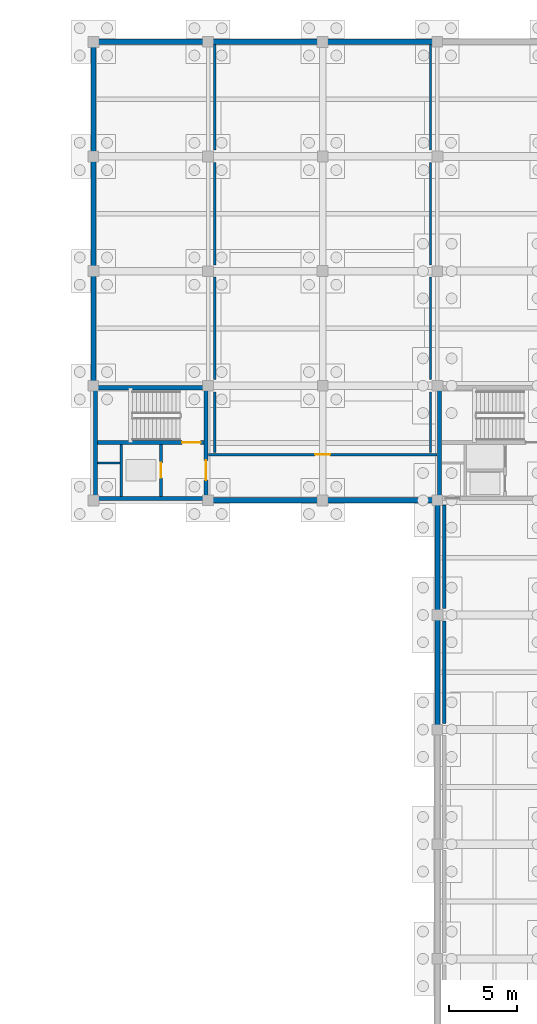
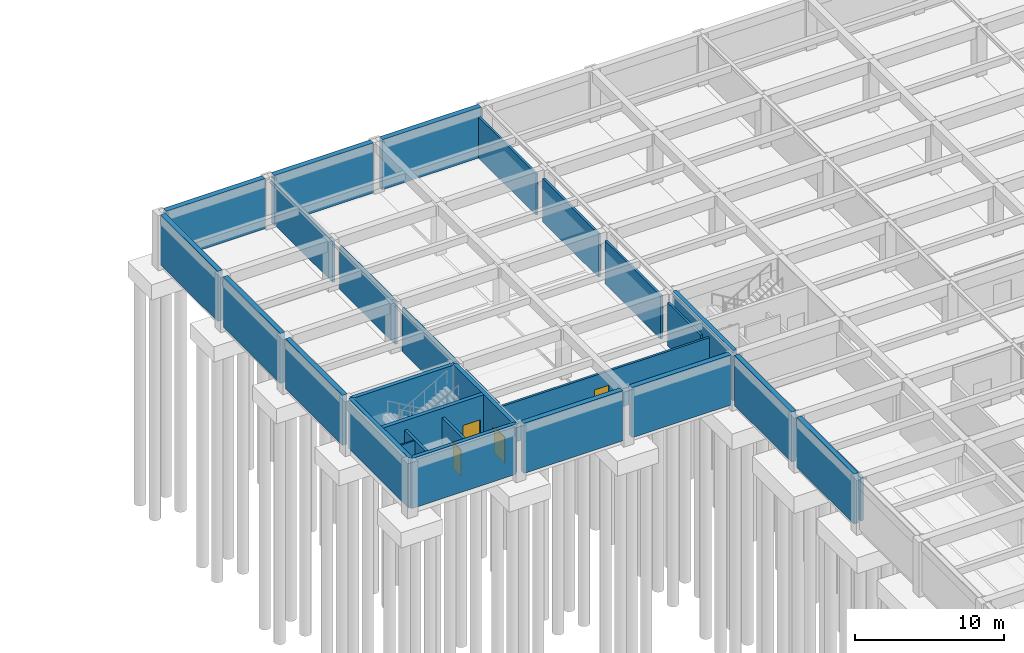
# One storey, part 21 of 33: 30 walls, 4 doors, 4 openings.
"""IFC4 building model written with IfcOpenShell, lengths in metres."""

from ifc_helpers import new_model, si_unit, direction, frame, frame_2d, origin, place, context, subcontext, project, spatial, rectangle, extrude, material, layer, layer_set, type_object, element, fill, save


model = new_model("IFC4")

# Units and contexts
model_context = context("Model", 3, precision=1e-05, world=origin(), true_north=direction((0.0, 1.0)))
body_context = subcontext(model_context, "Body", "Model", "MODEL_VIEW")
ifc_project = project(units=[si_unit("LENGTHUNIT", "METRE"), si_unit("AREAUNIT", "SQUARE_METRE"), si_unit("VOLUMEUNIT", "CUBIC_METRE"), si_unit("PLANEANGLEUNIT", "RADIAN"), si_unit("MASSUNIT", "GRAM", prefix="KILO")], contexts=[model_context])

# Site, building, storey
site_placement = place(None, origin())
site = spatial("IfcSite", under=ifc_project, at=site_placement, CompositionType="ELEMENT")
building_placement = place(site_placement, origin())
building = spatial("IfcBuilding", under=site, at=building_placement, Name="Kveldsbrygga Polytechnic", CompositionType="ELEMENT")
storey_placement = place(building_placement, frame((0.0, 0.0, -4.419921875)))
storey = spatial("IfcBuildingStorey", under=building, at=storey_placement, Name="B1", CompositionType="ELEMENT", Elevation=-4.419921875)

# Walls
ifc_material_1 = material(Name="Fired clay brick masonry M10", Category="masonry")
ifc_layer_1 = layer(ifc_material_1, 0.239990234375)
ifc_layer_set_1 = layer_set([ifc_layer_1], Name="Fired clay brick masonry M10")
wall_type_1 = type_object("IfcWallType", Name="IW-COMP-240", PredefinedType="PARTITIONING", material=ifc_layer_set_1)
wall_1_placement = place(storey_placement, frame((126.5, 67.64990234375, 0.0), z_axis=(0.0, 0.0, 1.0), x_axis=(0.0, 1.0, 0.0)))
element("IfcWall", 1, at=wall_1_placement, inside=storey, type_object=wall_type_1, Name="Partition Wall IW-SP-B1-ARCH1-W5", PredefinedType="PARTITIONING", context=body_context, shape_type="SweptSolid", body=[
    extrude(rectangle(XDim=7.489990234375, YDim=0.239990234375, at=frame_2d((3.7451171875, 0.0))), origin(), (0.0, 0.0, 1.0), 3.559814453125),
])
wall_2_placement = place(storey_placement, frame((126.5, 76.06005859375, 0.0), z_axis=(0.0, 0.0, 1.0), x_axis=(0.0, 1.0, 0.0)))
element("IfcWall", 2, at=wall_2_placement, inside=storey, type_object=wall_type_1, Name="Partition Wall IW-SP-B1-ARCH1-W6", PredefinedType="PARTITIONING", context=body_context, shape_type="SweptSolid", body=[
    extrude(rectangle(XDim=7.58984375, YDim=0.239990234375, at=frame_2d((3.794921875, 0.0))), origin(), (0.0, 0.0, 1.0), 3.169921875),
])
ifc_material_2 = material(Name="Moisture-resistant masonry M10", Category="masonry")
ifc_layer_2 = layer(ifc_material_2, 0.1298828125)
ifc_layer_set_2 = layer_set([ifc_layer_2], Name="Moisture-resistant masonry M10")
wall_type_2 = type_object("IfcWallType", Name="IW-SAN-130", PredefinedType="PARTITIONING", material=ifc_layer_set_2)
wall_3_placement = place(storey_placement, frame((101.1201171875, 86.739990234375, 0.0), z_axis=(0.0, 0.0, 1.0), x_axis=(1.0, 0.0, 0.0)))
element("IfcWall", 3, at=wall_3_placement, inside=storey, type_object=wall_type_2, Name="Core AWC Divider C5-B1-W-RSR", PredefinedType="PARTITIONING", context=body_context, shape_type="SweptSolid", body=[
    extrude(rectangle(XDim=1.619873046875, YDim=0.1298828125, at=frame_2d((0.81005859375, 0.0))), origin(), (0.0, 0.0, 1.0), 3.349853515625),
])

# Wall, opening, door
ifc_layer_3 = layer(ifc_material_1, 0.169921875)
ifc_layer_set_3 = layer_set([ifc_layer_3], Name="Fired clay brick masonry M10")
wall_type_3 = type_object("IfcWallType", Name="IW-STR-170", PredefinedType="PARTITIONING", material=ifc_layer_set_3)
wall_4_placement = place(storey_placement, frame((109.22998046875, 87.35009765625, 0.0), z_axis=(0.0, 0.0, 1.0), x_axis=(1.0, 0.0, 0.0)))
wall_4 = element("IfcWall", 4, at=wall_4_placement, inside=storey, type_object=wall_type_3, Name="Partition Wall IW-SP-B1-CHEM-S1", PredefinedType="PARTITIONING", context=body_context, shape_type="SweptSolid", body=[
    extrude(rectangle(XDim=16.739990234375, YDim=0.169921875, at=frame_2d((8.3701171875, 0.0))), origin(), (0.0, 0.0, 1.0), 3.31982421875),
])
opening_1_placement = place(wall_4_placement, frame((7.820068359375, 0.0, 0.0)))
opening_1 = element("IfcOpeningElement", 5, at=opening_1_placement, cuts=wall_4, Name="Opening ID-B1-014", PredefinedType="OPENING", context=body_context, shape_type="SweptSolid", body=[
    extrude(rectangle(XDim=1.10009765625, YDim=2.14990234375, at=frame_2d((0.550048828125, 1.074951171875))), frame((0.0, 0.094970703125, 0.0), z_axis=(0.0, -1.0, 0.0), x_axis=(1.0, 0.0, 0.0)), (0.0, 0.0, 1.0), 0.18994140625),
])
ifc_material_3 = material(Name="Powder-coated galvanised steel", Category="steel")
door_type_1 = type_object("IfcDoorType", Name="ID-STK-110x215", OperationType="NOTDEFINED", PredefinedType="DOOR", material=ifc_material_3)
door_1_placement = place(opening_1_placement, origin())
door_1 = element("IfcDoor", 6, at=door_1_placement, inside=storey, type_object=door_type_1, Name="Interior Door ID-B1-014", OperationType="SINGLE_SWING_RIGHT", OverallHeight=2.14990234375, OverallWidth=1.10009765625, PredefinedType="DOOR", context=body_context, shape_type="SweptSolid", body=[
    extrude(rectangle(XDim=1.10009765625, YDim=2.14990234375, at=frame_2d((0.550048828125, 1.074951171875))), frame((0.0, 0.02490234375, 0.0), z_axis=(0.0, -1.0, 0.0), x_axis=(1.0, 0.0, 0.0)), (0.0, 0.0, 1.0), 0.050048828125),
])
fill(opening_1, door_1)

# Walls
wall_5_placement = place(storey_placement, frame((109.699951171875, 87.5, 0.0), z_axis=(0.0, 0.0, 1.0), x_axis=(0.0, 1.0, 0.0)))
element("IfcWall", 7, at=wall_5_placement, inside=storey, type_object=wall_type_3, Name="Partition Wall IW-SP-B1-CHEM-W1", PredefinedType="PARTITIONING", context=body_context, shape_type="SweptSolid", body=[
    extrude(rectangle(XDim=4.43994140625, YDim=0.169921875, at=frame_2d((2.219970703125, 0.0))), origin(), (0.0, 0.0, 1.0), 3.559814453125),
])
wall_6_placement = place(storey_placement, frame((109.699951171875, 92.860107421875, 0.0), z_axis=(0.0, 0.0, 1.0), x_axis=(0.0, 1.0, 0.0)))
element("IfcWall", 8, at=wall_6_placement, inside=storey, type_object=wall_type_3, Name="Partition Wall IW-SP-B1-CHEM-W2", PredefinedType="PARTITIONING", context=body_context, shape_type="SweptSolid", body=[
    extrude(rectangle(XDim=7.489990234375, YDim=0.169921875, at=frame_2d((3.7451171875, 0.0))), origin(), (0.0, 0.0, 1.0), 3.56982421875),
])
wall_7_placement = place(storey_placement, frame((109.699951171875, 101.25, 0.0), z_axis=(0.0, 0.0, 1.0), x_axis=(0.0, 1.0, 0.0)))
element("IfcWall", 9, at=wall_7_placement, inside=storey, type_object=wall_type_3, Name="Partition Wall IW-SP-B1-CHEM-W3", PredefinedType="PARTITIONING", context=body_context, shape_type="SweptSolid", body=[
    extrude(rectangle(XDim=7.489990234375, YDim=0.169921875, at=frame_2d((3.7451171875, 0.0))), origin(), (0.0, 0.0, 1.0), 3.559814453125),
])
wall_8_placement = place(storey_placement, frame((109.699951171875, 109.659912109375, 0.0), z_axis=(0.0, 0.0, 1.0), x_axis=(0.0, 1.0, 0.0)))
element("IfcWall", 10, at=wall_8_placement, inside=storey, type_object=wall_type_3, Name="Partition Wall IW-SP-B1-CHEM-W4", PredefinedType="PARTITIONING", context=body_context, shape_type="SweptSolid", body=[
    extrude(rectangle(XDim=7.760009765625, YDim=0.169921875, at=frame_2d((3.8798828125, 0.0))), origin(), (0.0, 0.0, 1.0), 3.3798828125),
])
wall_9_placement = place(storey_placement, frame((125.5, 87.5, 0.0), z_axis=(0.0, 0.0, 1.0), x_axis=(0.0, 1.0, 0.0)))
element("IfcWall", 11, at=wall_9_placement, inside=storey, type_object=wall_type_3, Name="Partition Wall IW-SP-B1-CHEM-E1", PredefinedType="PARTITIONING", context=body_context, shape_type="SweptSolid", body=[
    extrude(rectangle(XDim=4.43994140625, YDim=0.169921875, at=frame_2d((2.219970703125, 0.0))), origin(), (0.0, 0.0, 1.0), 3.56982421875),
])
wall_10_placement = place(storey_placement, frame((125.5, 92.860107421875, 0.0), z_axis=(0.0, 0.0, 1.0), x_axis=(0.0, 1.0, 0.0)))
element("IfcWall", 12, at=wall_10_placement, inside=storey, type_object=wall_type_3, Name="Partition Wall IW-SP-B1-CHEM-E2", PredefinedType="PARTITIONING", context=body_context, shape_type="SweptSolid", body=[
    extrude(rectangle(XDim=7.489990234375, YDim=0.169921875, at=frame_2d((3.7451171875, 0.0))), origin(), (0.0, 0.0, 1.0), 3.559814453125),
])
wall_11_placement = place(storey_placement, frame((125.5, 101.25, 0.0), z_axis=(0.0, 0.0, 1.0), x_axis=(0.0, 1.0, 0.0)))
element("IfcWall", 13, at=wall_11_placement, inside=storey, type_object=wall_type_3, Name="Partition Wall IW-SP-B1-CHEM-E3", PredefinedType="PARTITIONING", context=body_context, shape_type="SweptSolid", body=[
    extrude(rectangle(XDim=7.489990234375, YDim=0.169921875, at=frame_2d((3.7451171875, 0.0))), origin(), (0.0, 0.0, 1.0), 3.56982421875),
])
wall_12_placement = place(storey_placement, frame((125.5, 109.659912109375, 0.0), z_axis=(0.0, 0.0, 1.0), x_axis=(0.0, 1.0, 0.0)))
element("IfcWall", 14, at=wall_12_placement, inside=storey, type_object=wall_type_3, Name="Partition Wall IW-SP-B1-CHEM-E4", PredefinedType="PARTITIONING", context=body_context, shape_type="SweptSolid", body=[
    extrude(rectangle(XDim=7.760009765625, YDim=0.169921875, at=frame_2d((3.8798828125, 0.0))), origin(), (0.0, 0.0, 1.0), 3.3798828125),
])
ifc_material_4 = material(Name="Concrete C45/55", Category="concrete")
ifc_layer_4 = layer(ifc_material_4, 0.300048828125)
ifc_layer_set_4 = layer_set([ifc_layer_4], Name="Concrete C45/55")
wall_type_4 = type_object("IfcWallType", Name="WL-CORE-300", PredefinedType="SHEAR", material=ifc_layer_set_4)
for number, where, z_axis, x_axis, name in (
    (15, (126.14990234375, 84.14990234375, 0.0), (0.0, 0.0, 1.0), (0.0, 1.0, 0.0), "Core C2 Shear Wall C2-B1-SW-W"),
    (16, (100.949951171875, 84.14990234375, 0.0), (0.0, 0.0, 1.0), (1.0, 0.0, 0.0), "Core C5 Shear Wall C5-B1-SW-S"),
    (17, (100.949951171875, 92.25, 0.0), (0.0, 0.0, 1.0), (1.0, 0.0, 0.0), "Core C5 Shear Wall C5-B1-SW-N"),
    (18, (100.949951171875, 84.14990234375, 0.0), (0.0, 0.0, 1.0), (0.0, 1.0, 0.0), "Core C5 Shear Wall C5-B1-SW-W"),
):
    element("IfcWall", number, at=place(storey_placement, frame(where, z_axis=z_axis, x_axis=x_axis)), inside=storey, type_object=wall_type_4, Name=name, PredefinedType="SHEAR", context=body_context, shape_type="SweptSolid", body=[
        extrude(rectangle(XDim=8.10009765625, YDim=0.300048828125, at=frame_2d((4.050048828125, 0.0))), origin(), (0.0, 0.0, 1.0), 4.119873046875),
    ])

# Wall, opening, door
wall_13_placement = place(storey_placement, frame((109.050048828125, 84.14990234375, 0.0), z_axis=(0.0, 0.0, 1.0), x_axis=(0.0, 1.0, 0.0)))
wall_13 = element("IfcWall", 19, at=wall_13_placement, inside=storey, type_object=wall_type_4, Name="Core C5 Shear Wall C5-B1-SW-E", PredefinedType="SHEAR", context=body_context, shape_type="SweptSolid", body=[
    extrude(rectangle(XDim=8.10009765625, YDim=0.300048828125, at=frame_2d((4.050048828125, 0.0))), origin(), (0.0, 0.0, 1.0), 4.119873046875),
])
opening_2_placement = place(wall_13_placement, frame((1.324951171875, 0.0, 0.0)))
opening_2 = element("IfcOpeningElement", 20, at=opening_2_placement, cuts=wall_13, Name="Opening FD-C5-B1-LOB", PredefinedType="OPENING", context=body_context, shape_type="SweptSolid", body=[
    extrude(rectangle(XDim=1.449951171875, YDim=2.14990234375, at=frame_2d((0.72509765625, 1.074951171875))), frame((0.0, 0.16015625, 0.0), z_axis=(0.0, -1.0, 0.0), x_axis=(1.0, 0.0, 0.0)), (0.0, 0.0, 1.0), 0.320068359375),
])
door_type_2 = type_object("IfcDoorType", Name="ID-LOBBY-145x215", OperationType="DOUBLE_DOOR_SINGLE_SWING", PredefinedType="DOOR", material=ifc_material_3)
door_2_placement = place(opening_2_placement, origin())
door_2 = element("IfcDoor", 21, at=door_2_placement, inside=storey, type_object=door_type_2, Name="Core Lobby Fire Door FD-C5-B1-LOB", OperationType="DOUBLE_DOOR_SINGLE_SWING", OverallHeight=2.14990234375, OverallWidth=1.449951171875, PredefinedType="DOOR", context=body_context, shape_type="SweptSolid", body=[
    extrude(rectangle(XDim=1.449951171875, YDim=2.14990234375, at=frame_2d((0.72509765625, 1.074951171875))), frame((0.0, 0.02490234375, 0.0), z_axis=(0.0, -1.0, 0.0), x_axis=(1.0, 0.0, 0.0)), (0.0, 0.0, 1.0), 0.050048828125),
])
fill(opening_2, door_2)

wall_14_placement = place(storey_placement, frame((101.10009765625, 88.22998046875, 0.0), z_axis=(0.0, 0.0, 1.0), x_axis=(1.0, 0.0, 0.0)))
wall_14 = element("IfcWall", 22, at=wall_14_placement, inside=storey, type_object=wall_type_4, Name="Core C5 Shear Wall C5-B1-W-DIV", PredefinedType="SHEAR", context=body_context, shape_type="SweptSolid", body=[
    extrude(rectangle(XDim=7.7998046875, YDim=0.300048828125, at=frame_2d((3.89990234375, 0.0))), origin(), (0.0, 0.0, 1.0), 4.119873046875),
])
opening_3_placement = place(wall_14_placement, frame((6.199951171875, 0.0, 0.0)))
opening_3 = element("IfcOpeningElement", 23, at=opening_3_placement, cuts=wall_14, Name="Opening FD-C5-B1-ST", PredefinedType="OPENING", context=body_context, shape_type="SweptSolid", body=[
    extrude(rectangle(XDim=1.35009765625, YDim=2.14990234375, at=frame_2d((0.675048828125, 1.074951171875))), frame((0.0, 0.16015625, 0.0), z_axis=(0.0, -1.0, 0.0), x_axis=(1.0, 0.0, 0.0)), (0.0, 0.0, 1.0), 0.320068359375),
])
door_type_3 = type_object("IfcDoorType", Name="ID-STAIR-135x215", OperationType="NOTDEFINED", PredefinedType="DOOR", material=ifc_material_3)
door_3_placement = place(opening_3_placement, origin())
door_3 = element("IfcDoor", 24, at=door_3_placement, inside=storey, type_object=door_type_3, Name="Stair Fire Door FD-C5-B1-ST", OperationType="SINGLE_SWING_LEFT", OverallHeight=2.14990234375, OverallWidth=1.35009765625, PredefinedType="DOOR", context=body_context, shape_type="SweptSolid", body=[
    extrude(rectangle(XDim=1.35009765625, YDim=2.14990234375, at=frame_2d((0.675048828125, 1.074951171875))), frame((0.0, 0.02490234375, 0.0), z_axis=(0.0, -1.0, 0.0), x_axis=(1.0, 0.0, 0.0)), (0.0, 0.0, 1.0), 0.050048828125),
])
fill(opening_3, door_3)

# Walls
ifc_material_5 = material(Name="Concrete C35/45", Category="concrete")
ifc_layer_5 = layer(ifc_material_5, 0.360107421875)
ifc_layer_set_5 = layer_set([ifc_layer_5], Name="Concrete C35/45")
wall_type_5 = type_object("IfcWallType", Name="WL-RET-360", PredefinedType="USERDEFINED", material=ifc_layer_set_5)
wall_15_placement = place(storey_placement, frame((100.800048828125, 92.75, 0.0), z_axis=(0.0, 0.0, 1.0), x_axis=(0.0, 1.0, 0.0)))
element("IfcWall", 25, at=wall_15_placement, inside=storey, type_object=wall_type_5, Name="Basement Retaining Wall RW-W-12-11", ObjectType="RETAININGWALL", PredefinedType="USERDEFINED", context=body_context, shape_type="SweptSolid", body=[
    extrude(rectangle(XDim=7.699951171875, YDim=0.360107421875, at=frame_2d((3.85009765625, 0.0))), origin(), (0.0, 0.0, 1.0), 4.119873046875),
])
wall_16_placement = place(storey_placement, frame((100.800048828125, 101.14990234375, 0.0), z_axis=(0.0, 0.0, 1.0), x_axis=(0.0, 1.0, 0.0)))
element("IfcWall", 26, at=wall_16_placement, inside=storey, type_object=wall_type_5, Name="Basement Retaining Wall RW-W-12-12", ObjectType="RETAININGWALL", PredefinedType="USERDEFINED", context=body_context, shape_type="SweptSolid", body=[
    extrude(rectangle(XDim=7.7001953125, YDim=0.360107421875, at=frame_2d((3.85009765625, 0.0))), origin(), (0.0, 0.0, 1.0), 4.119873046875),
])
for number, where, z_axis, x_axis, name in (
    (27, (100.800048828125, 109.550048828125, 0.0), (0.0, 0.0, 1.0), (0.0, 1.0, 0.0), "Basement Retaining Wall RW-W-12-13"),
    (28, (126.0, 67.550048828125, 0.0), (0.0, 0.0, 1.0), (0.0, 1.0, 0.0), "Basement Retaining Wall RW-W-15-08"),
    (29, (126.0, 75.949951171875, 0.0), (0.0, 0.0, 1.0), (0.0, 1.0, 0.0), "Basement Retaining Wall RW-W-15-09"),
):
    element("IfcWall", number, at=place(storey_placement, frame(where, z_axis=z_axis, x_axis=x_axis)), inside=storey, type_object=wall_type_5, Name=name, ObjectType="RETAININGWALL", PredefinedType="USERDEFINED", context=body_context, shape_type="SweptSolid", body=[
        extrude(rectangle(XDim=7.699951171875, YDim=0.360107421875, at=frame_2d((3.85009765625, 0.0))), origin(), (0.0, 0.0, 1.0), 4.119873046875),
    ])
ifc_layer_6 = layer(ifc_material_5, 0.39990234375)
ifc_layer_set_6 = layer_set([ifc_layer_6], Name="Concrete C35/45")
wall_type_6 = type_object("IfcWallType", Name="WL-RET-400", PredefinedType="USERDEFINED", material=ifc_layer_set_6)
wall_17_placement = place(storey_placement, frame((101.14990234375, 117.60009765625, 0.0), z_axis=(0.0, 0.0, 1.0), x_axis=(1.0, 0.0, 0.0)))
element("IfcWall", 30, at=wall_17_placement, inside=storey, type_object=wall_type_6, Name="Basement Retaining Wall RW-N-12-13", ObjectType="RETAININGWALL", PredefinedType="USERDEFINED", context=body_context, shape_type="SweptSolid", body=[
    extrude(rectangle(XDim=7.7001953125, YDim=0.39990234375, at=frame_2d((3.85009765625, 0.0))), origin(), (0.0, 0.0, 1.0), 4.119873046875),
])
for number, where, z_axis, x_axis, name in (
    (31, (109.550048828125, 84.0, 0.0), (0.0, 0.0, 1.0), (1.0, 0.0, 0.0), "Basement Retaining Wall RW-S-13-10"),
    (32, (109.550048828125, 117.60009765625, 0.0), (0.0, 0.0, 1.0), (1.0, 0.0, 0.0), "Basement Retaining Wall RW-N-13-13"),
    (33, (117.949951171875, 84.0, 0.0), (0.0, 0.0, 1.0), (1.0, 0.0, 0.0), "Basement Retaining Wall RW-S-14-10"),
    (34, (117.949951171875, 117.60009765625, 0.0), (0.0, 0.0, 1.0), (1.0, 0.0, 0.0), "Basement Retaining Wall RW-N-14-13"),
):
    element("IfcWall", number, at=place(storey_placement, frame(where, z_axis=z_axis, x_axis=x_axis)), inside=storey, type_object=wall_type_6, Name=name, ObjectType="RETAININGWALL", PredefinedType="USERDEFINED", context=body_context, shape_type="SweptSolid", body=[
        extrude(rectangle(XDim=7.699951171875, YDim=0.39990234375, at=frame_2d((3.85009765625, 0.0))), origin(), (0.0, 0.0, 1.0), 4.119873046875),
    ])

# Wall, opening, door
ifc_layer_7 = layer(ifc_material_5, 0.199951171875)
ifc_layer_set_7 = layer_set([ifc_layer_7], Name="Concrete C35/45")
wall_type_7 = type_object("IfcWallType", Name="WL-SHFT-200", PredefinedType="SHEAR", material=ifc_layer_set_7)
wall_18_placement = place(storey_placement, frame((105.760009765625, 84.300048828125, 0.0), z_axis=(0.0, 0.0, 1.0), x_axis=(0.0, 1.0, 0.0)))
wall_18 = element("IfcWall", 35, at=wall_18_placement, inside=storey, type_object=wall_type_7, Name="Lift Front Wall C5-B1-W-LFR", PredefinedType="SHEAR", context=body_context, shape_type="SweptSolid", body=[
    extrude(rectangle(XDim=3.800048828125, YDim=0.199951171875, at=frame_2d((1.89990234375, 0.0))), origin(), (0.0, 0.0, 1.0), 3.35986328125),
])
opening_4_placement = place(wall_18_placement, frame((1.35009765625, 0.0, 0.0)))
opening_4 = element("IfcOpeningElement", 36, at=opening_4_placement, cuts=wall_18, Name="Opening LD-LP-5", PredefinedType="OPENING", context=body_context, shape_type="SweptSolid", body=[
    extrude(rectangle(XDim=1.10009765625, YDim=2.14990234375, at=frame_2d((0.550048828125, 1.074951171875))), frame((0.0, 0.10986328125, 0.0), z_axis=(0.0, -1.0, 0.0), x_axis=(1.0, 0.0, 0.0)), (0.0, 0.0, 1.0), 0.219970703125),
])
ifc_material_6 = material(Name="Brushed stainless steel EN 1.4401", Category="steel")
door_type_4 = type_object("IfcDoorType", Name="LD-PAX-110x215", OperationType="SLIDING_TO_LEFT", PredefinedType="DOOR", material=ifc_material_6)
door_4_placement = place(opening_4_placement, origin())
door_4 = element("IfcDoor", 37, at=door_4_placement, inside=storey, type_object=door_type_4, Name="Lift Landing Sliding Door LD-LP-5-B1", OperationType="SLIDING_TO_LEFT", OverallHeight=2.14990234375, OverallWidth=1.10009765625, PredefinedType="DOOR", context=body_context, shape_type="SweptSolid", body=[
    extrude(rectangle(XDim=1.10009765625, YDim=2.14990234375, at=frame_2d((0.550048828125, 1.074951171875))), frame((0.0, 0.02490234375, 0.0), z_axis=(0.0, -1.0, 0.0), x_axis=(1.0, 0.0, 0.0)), (0.0, 0.0, 1.0), 0.050048828125),
])
fill(opening_4, door_4)

# Wall
wall_19_placement = place(storey_placement, frame((102.840087890625, 84.300048828125, 0.0), z_axis=(0.0, 0.0, 1.0), x_axis=(0.0, 1.0, 0.0)))
element("IfcWall", 38, at=wall_19_placement, inside=storey, type_object=wall_type_7, Name="Lift Back Wall C5-B1-W-LBK", PredefinedType="SHEAR", context=body_context, shape_type="SweptSolid", body=[
    extrude(rectangle(XDim=3.800048828125, YDim=0.199951171875, at=frame_2d((1.89990234375, 0.0))), origin(), (0.0, 0.0, 1.0), 3.35986328125),
])

save(model, "model.ifc")
